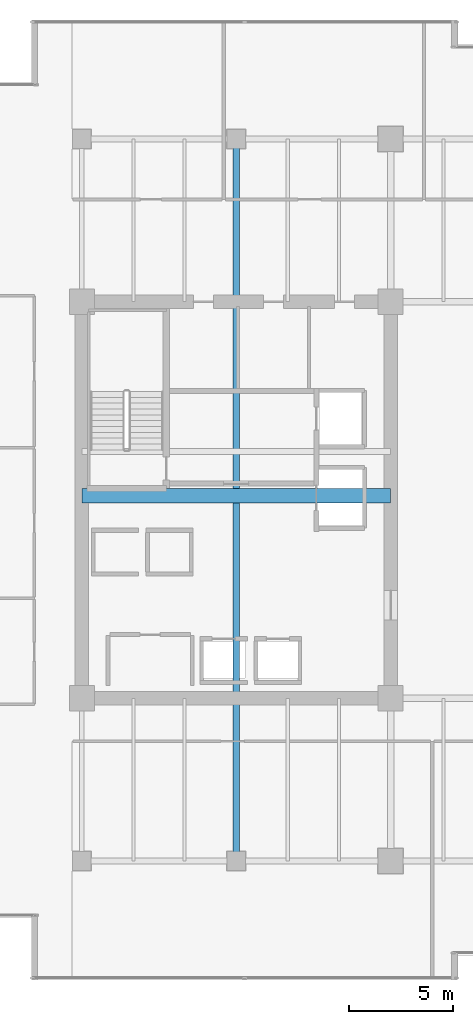
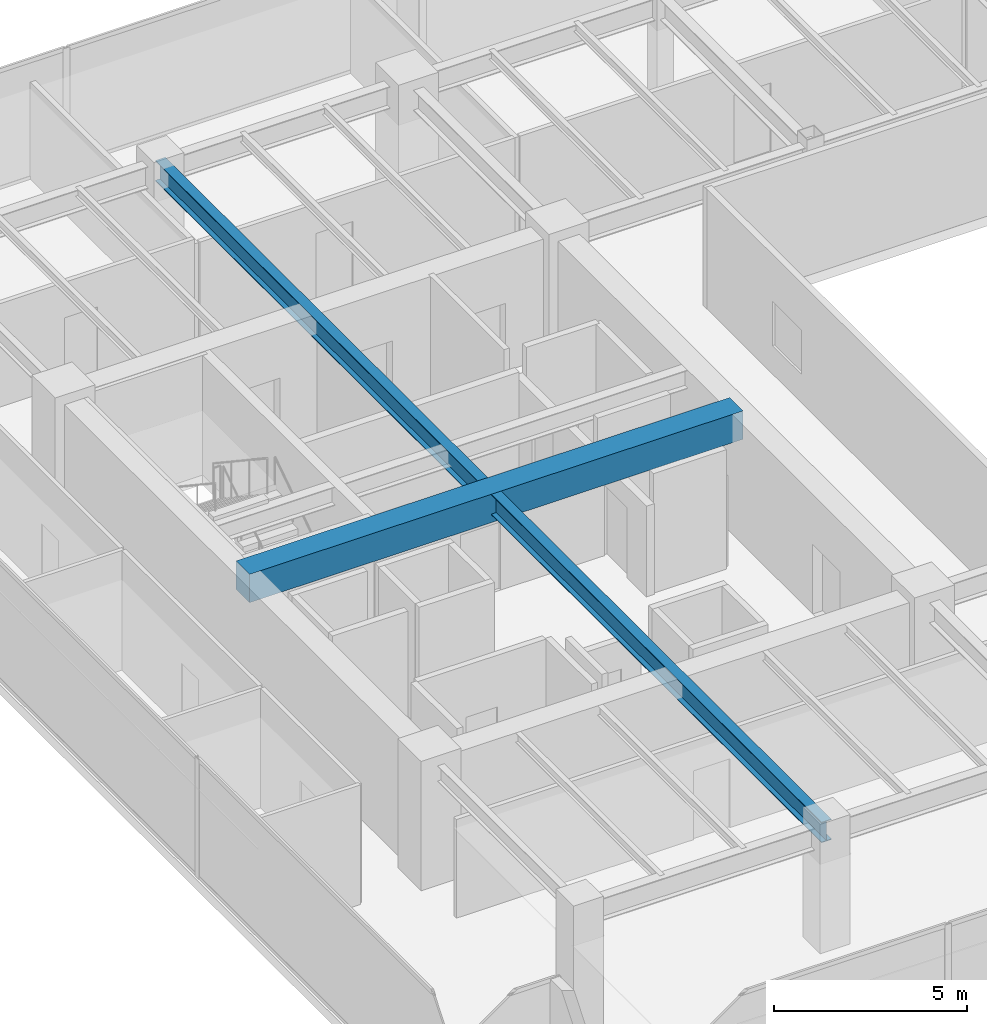
# One storey, part 7 of 33: 2 beams.
"""IFC4 building model written with IfcOpenShell, lengths in metres."""

from ifc_helpers import new_model, si_unit, direction, frame, origin, origin_2d, place, context, subcontext, project, spatial, rectangle, i_section, extrude, source, transform, mapped, material, material_profile, profile_set, type_object, type_shapes, element, save


model = new_model("IFC4")

# Units and contexts
model_context = context("Model", 3, precision=1e-05, world=origin(), true_north=direction((0.0, 1.0)))
body_context = subcontext(model_context, "Body", "Model", "MODEL_VIEW")
ifc_project = project(units=[si_unit("LENGTHUNIT", "METRE"), si_unit("AREAUNIT", "SQUARE_METRE"), si_unit("VOLUMEUNIT", "CUBIC_METRE"), si_unit("PLANEANGLEUNIT", "RADIAN"), si_unit("MASSUNIT", "GRAM", prefix="KILO")], contexts=[model_context])

# Site, building, storey
site_placement = place(None, origin())
site = spatial("IfcSite", under=ifc_project, at=site_placement, CompositionType="ELEMENT")
building_placement = place(site_placement, origin())
building = spatial("IfcBuilding", under=site, at=building_placement, Name="Haelvirn Gate Laboratories", CompositionType="ELEMENT")
storey_placement = place(building_placement, frame((0.0, 0.0, 133.800048828125)))
storey = spatial("IfcBuildingStorey", under=building, at=storey_placement, Name="L32", CompositionType="ELEMENT", Elevation=133.800048828125)

# Beams
ifc_material_1 = material(Name="Concrete C60/75", Category="concrete")
ifc_material_profile_1 = material_profile(ifc_material_1, rectangle(XDim=0.699951171875, YDim=0.89990234375, at=origin_2d()), Name="RCB-700x900")
ifc_profile_set_1 = profile_set([ifc_material_profile_1], Name="Concrete C60/75")
beam_type_1 = type_object("IfcBeamType", Name="BM-RCB-900", PredefinedType="LINTEL", material=ifc_profile_set_1)
shared_shape_1 = source(origin(), body_context, "Body", "SweptSolid", [
    extrude(rectangle(XDim=0.699951171875, YDim=0.89990234375, at=origin_2d()), origin(), (0.0, 0.0, 1.0), 14.800048828125),
])
type_shapes(beam_type_1, [shared_shape_1])
beam_1_placement = place(storey_placement, frame((7.39990234375, 24.5, 3.33984375), z_axis=(1.0, 0.0, 0.0), x_axis=(0.0, 1.0, 0.0)))
element("IfcBeam", 1, at=beam_1_placement, inside=storey, type_object=beam_type_1, Name="L32 West Core Coupling Beam", PredefinedType="LINTEL", context=body_context, shape_type="MappedRepresentation", body=[
    mapped(shared_shape_1, transform((0.0, 0.0, 0.0), scale=1.0)),
])
ifc_material_2 = material(Name="Steel SM355", Category="steel")
ifc_material_profile_2 = material_profile(ifc_material_2, i_section(OverallWidth=0.300048828125, OverallDepth=0.64990234375, WebThickness=0.012939453125, FlangeThickness=0.02197265625, at=origin_2d()), Name="H-650x300x13x22")
ifc_profile_set_2 = profile_set([ifc_material_profile_2], Name="Steel SM355")
beam_type_2 = type_object("IfcBeamType", Name="BM-G-650", PredefinedType="BEAM", material=ifc_profile_set_2)
shared_shape_2 = source(origin(), body_context, "Body", "SweptSolid", [
    extrude(i_section(OverallWidth=0.300048828125, OverallDepth=0.64990234375, WebThickness=0.012939453125, FlangeThickness=0.02197265625, at=origin_2d()), origin(), (0.0, 0.0, 1.0), 34.60009765625),
])
type_shapes(beam_type_2, [shared_shape_2])
beam_2_placement = place(storey_placement, frame((14.800048828125, 7.0, 3.46484375), z_axis=(0.0, 1.0, 0.0), x_axis=(-1.0, 0.0, 0.0)))
element("IfcBeam", 2, at=beam_2_placement, inside=storey, type_object=beam_type_2, Name="L32 Frame Girder X14.8 (7.0-41.6)", PredefinedType="BEAM", context=body_context, shape_type="MappedRepresentation", body=[
    mapped(shared_shape_2, transform((0.0, 0.0, 0.0), scale=1.0)),
])

save(model, "model.ifc")
